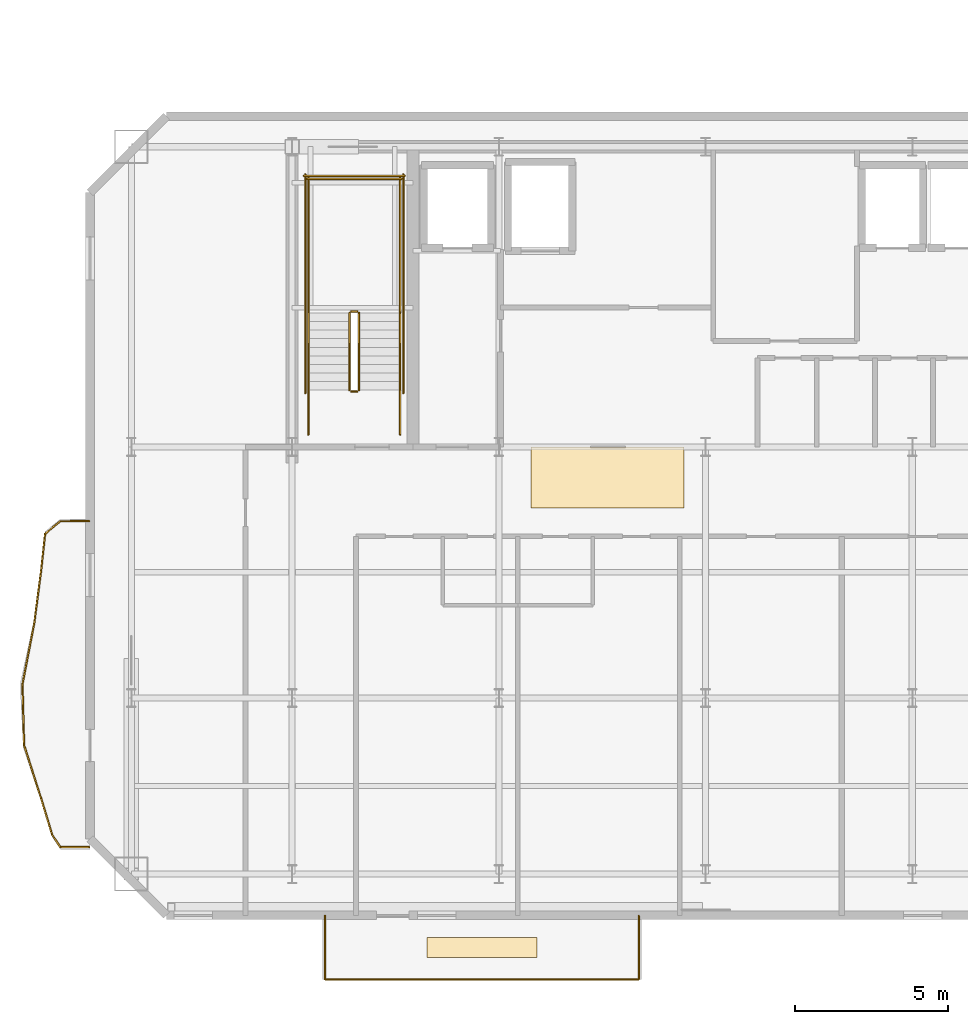
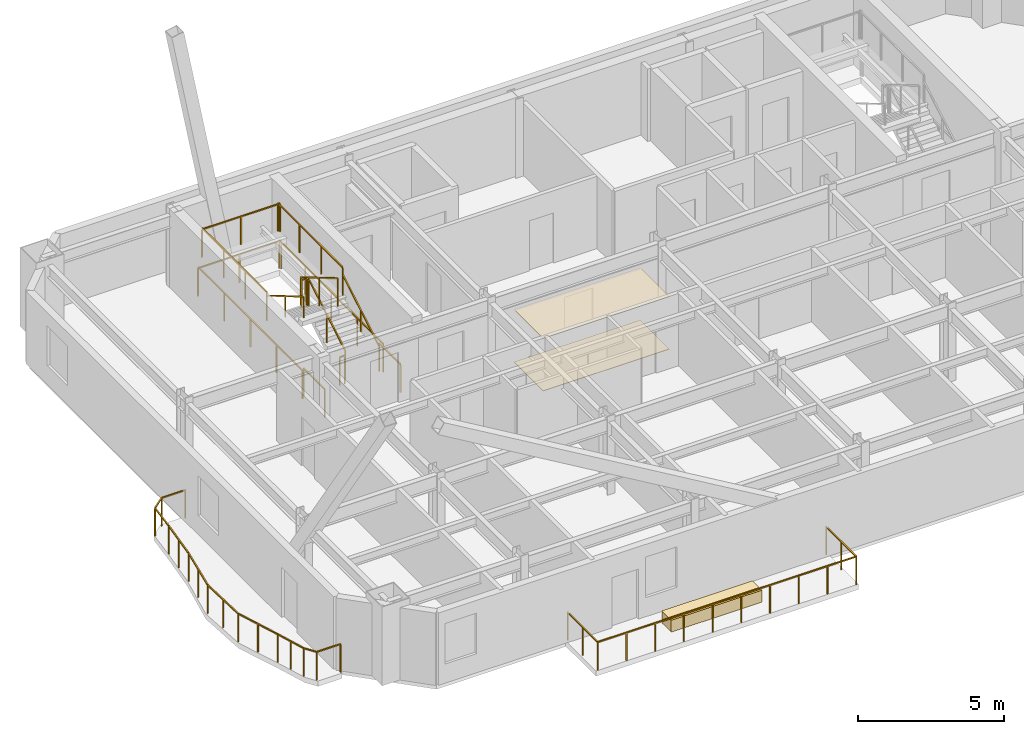
# One storey, part 11 of 14: 27 railings, 3 coverings.
"""IFC4 building model written with IfcOpenShell, lengths in metres."""

from ifc_helpers import new_model, si_unit, direction, frame, origin, origin_2d, place, context, subcontext, project, spatial, polyline, rectangle, outline, extrude, material, layer, layer_set, type_object, element, save


model = new_model("IFC4")

# Units and contexts
model_context = context("Model", 3, precision=1e-05, world=origin(), true_north=direction((0.0, 1.0)))
body_context = subcontext(model_context, "Body", "Model", "MODEL_VIEW")
ifc_project = project(units=[si_unit("LENGTHUNIT", "METRE"), si_unit("AREAUNIT", "SQUARE_METRE"), si_unit("VOLUMEUNIT", "CUBIC_METRE"), si_unit("PLANEANGLEUNIT", "RADIAN"), si_unit("MASSUNIT", "GRAM", prefix="KILO")], contexts=[model_context])

# Site, building, storey
site_placement = place(None, origin())
site = spatial("IfcSite", under=ifc_project, at=site_placement, CompositionType="ELEMENT")
building_placement = place(site_placement, origin())
building = spatial("IfcBuilding", under=site, at=building_placement, Name="Haevon Station Towers", CompositionType="ELEMENT")
storey_placement = place(building_placement, frame((0.0, 0.0, 228.60009765625)))
storey = spatial("IfcBuildingStorey", under=building, at=storey_placement, Name="L63", CompositionType="ELEMENT", Elevation=228.60009765625)

# Coverings
ifc_material_1 = material(Name="Gypsum acoustic ceiling tile", Category="concrete")
ifc_layer_1 = layer(ifc_material_1, 0.014892578125)
ifc_layer_set_1 = layer_set([ifc_layer_1], Name="Gypsum acoustic ceiling tile")
covering_type_1 = type_object("IfcCoveringType", Name="COV-CEIL15", PredefinedType="CEILING", material=ifc_layer_set_1)
covering_1_placement = place(storey_placement, frame((0.0, 0.0, 2.199951171875)))
element("IfcCovering", 1, at=covering_1_placement, inside=storey, type_object=covering_type_1, Name="L63 Acoustic Corridor Ceiling", PredefinedType="CEILING", context=body_context, shape_type="SweptSolid", body=[
    extrude(outline(polyline([(31.800048828125, 36.199951171875), (36.800048828125, 36.199951171875), (36.800048828125, 38.199951171875), (31.800048828125, 38.199951171875), (31.800048828125, 36.199951171875)])), origin(), (0.0, 0.0, 1.0), 0.014892578125),
])
ifc_material_2 = material(Name="Granite stone paving", Category="masonry")
ifc_layer_2 = layer(ifc_material_2, 0.02001953125)
ifc_layer_set_2 = layer_set([ifc_layer_2], Name="Granite stone paving")
covering_type_2 = type_object("IfcCoveringType", Name="COV-FLR20", PredefinedType="FLOORING", material=ifc_layer_set_2)
covering_2_placement = place(storey_placement, origin())
element("IfcCovering", 2, at=covering_2_placement, inside=storey, type_object=covering_type_2, Name="L63 Corridor Stone Flooring", PredefinedType="FLOORING", context=body_context, shape_type="SweptSolid", body=[
    extrude(outline(polyline([(31.800048828125, 36.199951171875), (36.800048828125, 36.199951171875), (36.800048828125, 38.199951171875), (31.800048828125, 38.199951171875), (31.800048828125, 36.199951171875)])), origin(), (0.0, 0.0, 1.0), 0.02001953125),
])

# Railings
ifc_material_3 = material(Name="Steel S355", Category="steel")
railing_type_1 = type_object("IfcRailingType", Name="GRD-EXT1200", PredefinedType="GUARDRAIL", material=ifc_material_3)
railing_1_placement = place(storey_placement, frame((17.37646484375, 35.772216796875, 0.0)))
element("IfcRailing", 3, at=railing_1_placement, inside=storey, type_object=railing_type_1, Name="L63 Perimeter Guardrail 1", PredefinedType="GUARDRAIL", context=body_context, shape_type="SweptSolid", body=[
    extrude(rectangle(XDim=0.048095703125, YDim=0.048095703125, at=origin_2d()), frame((0.0, 0.0, 1.17578125), z_axis=(-0.999997857851, -0.002069853263, 0.0), x_axis=(0.002069853263, -0.999997857851, 0.0)), (0.0, 0.0, 1.0), 0.943603515625),
    extrude(rectangle(XDim=0.0419921875, YDim=0.0419921875, at=origin_2d()), origin(), (0.0, 0.0, 1.0), 1.15185546875),
    extrude(rectangle(XDim=0.0419921875, YDim=0.0419921875, at=origin_2d()), frame((-0.943603515625, -0.001953125, 0.0)), (0.0, 0.0, 1.0), 1.15185546875),
])
railing_2_placement = place(storey_placement, frame((16.432861328125, 35.770263671875, 0.0)))
element("IfcRailing", 4, at=railing_2_placement, inside=storey, type_object=railing_type_1, Name="L63 Perimeter Guardrail 2", PredefinedType="GUARDRAIL", context=body_context, shape_type="SweptSolid", body=[
    extrude(rectangle(XDim=0.048095703125, YDim=0.048095703125, at=origin_2d()), frame((0.0, 0.0, 1.17578125), z_axis=(-0.771155301893, -0.636647076771, 0.0), x_axis=(0.636647076771, -0.771155301893, 0.0)), (0.0, 0.0, 1.0), 0.646240234375),
    extrude(rectangle(XDim=0.0419921875, YDim=0.0419921875, at=origin_2d()), origin(), (0.0, 0.0, 1.0), 1.15185546875),
    extrude(rectangle(XDim=0.0419921875, YDim=0.0419921875, at=origin_2d()), frame((-0.498291015625, -0.411376953125, 0.0)), (0.0, 0.0, 1.0), 1.15185546875),
])
railing_3_placement = place(storey_placement, frame((15.9345703125, 35.35888671875, 0.0)))
element("IfcRailing", 5, at=railing_3_placement, inside=storey, type_object=railing_type_1, Name="L63 Perimeter Guardrail 3", PredefinedType="GUARDRAIL", context=body_context, shape_type="SweptSolid", body=[
    extrude(rectangle(XDim=0.048095703125, YDim=0.048095703125, at=origin_2d()), frame((0.0, 0.0, 1.17578125), z_axis=(-0.10826862392, -0.994121675186, 0.0), x_axis=(0.994121675186, -0.10826862392, 0.0)), (0.0, 0.0, 1.0), 1.177001953125),
    extrude(rectangle(XDim=0.0419921875, YDim=0.0419921875, at=origin_2d()), origin(), (0.0, 0.0, 1.0), 1.15185546875),
    extrude(rectangle(XDim=0.0419921875, YDim=0.0419921875, at=origin_2d()), frame((-0.12744140625, -1.170166015625, 0.0)), (0.0, 0.0, 1.0), 1.15185546875),
])
railing_4_placement = place(storey_placement, frame((15.80712890625, 34.188720703125, 0.0)))
element("IfcRailing", 6, at=railing_4_placement, inside=storey, type_object=railing_type_1, Name="L63 Perimeter Guardrail 4", PredefinedType="GUARDRAIL", context=body_context, shape_type="SweptSolid", body=[
    extrude(rectangle(XDim=0.048095703125, YDim=0.048095703125, at=origin_2d()), frame((0.0, 0.0, 1.17578125), z_axis=(-0.128836300535, -0.991665875013, 0.0), x_axis=(0.991665875013, -0.128836300535, 0.0)), (0.0, 0.0, 1.0), 1.76416015625),
    extrude(rectangle(XDim=0.0419921875, YDim=0.0419921875, at=origin_2d()), origin(), (0.0, 0.0, 1.0), 1.15185546875),
    extrude(rectangle(XDim=0.0419921875, YDim=0.0419921875, at=origin_2d()), frame((-0.11376953125, -0.874755859375, 0.0)), (0.0, 0.0, 1.0), 1.15185546875),
    extrude(rectangle(XDim=0.0419921875, YDim=0.0419921875, at=origin_2d()), frame((-0.227294921875, -1.74951171875, 0.0)), (0.0, 0.0, 1.0), 1.15185546875),
])
railing_5_placement = place(storey_placement, frame((15.579833984375, 32.439208984375, 0.0)))
element("IfcRailing", 7, at=railing_5_placement, inside=storey, type_object=railing_type_1, Name="L63 Perimeter Guardrail 5", PredefinedType="GUARDRAIL", context=body_context, shape_type="SweptSolid", body=[
    extrude(rectangle(XDim=0.048095703125, YDim=0.048095703125, at=origin_2d()), frame((0.0, 0.0, 1.17578125), z_axis=(-0.189669695752, -0.981847954886, 0.0), x_axis=(0.981847954886, -0.189669695752, 0.0)), (0.0, 0.0, 1.0), 2.026123046875),
    extrude(rectangle(XDim=0.0419921875, YDim=0.0419921875, at=origin_2d()), origin(), (0.0, 0.0, 1.0), 1.15185546875),
    extrude(rectangle(XDim=0.0419921875, YDim=0.0419921875, at=origin_2d()), frame((-0.192138671875, -0.99462890625, 0.0)), (0.0, 0.0, 1.0), 1.15185546875),
    extrude(rectangle(XDim=0.0419921875, YDim=0.0419921875, at=origin_2d()), frame((-0.38427734375, -1.9892578125, 0.0)), (0.0, 0.0, 1.0), 1.15185546875),
])
railing_6_placement = place(storey_placement, frame((15.195556640625, 30.449951171875, 0.0)))
element("IfcRailing", 8, at=railing_6_placement, inside=storey, type_object=railing_type_1, Name="L63 Perimeter Guardrail 6", PredefinedType="GUARDRAIL", context=body_context, shape_type="SweptSolid", body=[
    extrude(rectangle(XDim=0.048095703125, YDim=0.048095703125, at=origin_2d()), frame((0.0, 0.0, 1.17578125), z_axis=(0.026326002365, -0.999653410738, 0.0), x_axis=(0.999653410738, 0.026326002365, 0.0)), (0.0, 0.0, 1.0), 1.993896484375),
    extrude(rectangle(XDim=0.0419921875, YDim=0.0419921875, at=origin_2d()), origin(), (0.0, 0.0, 1.0), 1.15185546875),
    extrude(rectangle(XDim=0.0419921875, YDim=0.0419921875, at=origin_2d()), frame((0.0263671875, -0.99658203125, 0.0)), (0.0, 0.0, 1.0), 1.15185546875),
    extrude(rectangle(XDim=0.0419921875, YDim=0.0419921875, at=origin_2d()), frame((0.052490234375, -1.9931640625, 0.0)), (0.0, 0.0, 1.0), 1.15185546875),
])
railing_7_placement = place(storey_placement, frame((15.248046875, 28.456787109375, 0.0)))
element("IfcRailing", 9, at=railing_7_placement, inside=storey, type_object=railing_type_1, Name="L63 Perimeter Guardrail 7", PredefinedType="GUARDRAIL", context=body_context, shape_type="SweptSolid", body=[
    extrude(rectangle(XDim=0.048095703125, YDim=0.048095703125, at=origin_2d()), frame((0.0, 0.0, 1.17578125), z_axis=(0.30505605899, -0.952334395511, 0.0), x_axis=(0.952334395511, 0.30505605899, 0.0)), (0.0, 0.0, 1.0), 1.832763671875),
    extrude(rectangle(XDim=0.0419921875, YDim=0.0419921875, at=origin_2d()), origin(), (0.0, 0.0, 1.0), 1.15185546875),
    extrude(rectangle(XDim=0.0419921875, YDim=0.0419921875, at=origin_2d()), frame((0.279541015625, -0.87255859375, 0.0)), (0.0, 0.0, 1.0), 1.15185546875),
    extrude(rectangle(XDim=0.0419921875, YDim=0.0419921875, at=origin_2d()), frame((0.55908203125, -1.745361328125, 0.0)), (0.0, 0.0, 1.0), 1.15185546875),
])
railing_8_placement = place(storey_placement, frame((15.80712890625, 26.71142578125, 0.0)))
element("IfcRailing", 10, at=railing_8_placement, inside=storey, type_object=railing_type_1, Name="L63 Perimeter Guardrail 8", PredefinedType="GUARDRAIL", context=body_context, shape_type="SweptSolid", body=[
    extrude(rectangle(XDim=0.048095703125, YDim=0.048095703125, at=origin_2d()), frame((0.0, 0.0, 1.17578125), z_axis=(0.289691533525, -0.957120063212, 0.0), x_axis=(0.957120063212, 0.289691533525, 0.0)), (0.0, 0.0, 1.0), 1.222900390625),
    extrude(rectangle(XDim=0.0419921875, YDim=0.0419921875, at=origin_2d()), origin(), (0.0, 0.0, 1.0), 1.15185546875),
    extrude(rectangle(XDim=0.0419921875, YDim=0.0419921875, at=origin_2d()), frame((0.17724609375, -0.585205078125, 0.0)), (0.0, 0.0, 1.0), 1.15185546875),
    extrude(rectangle(XDim=0.0419921875, YDim=0.0419921875, at=origin_2d()), frame((0.354248046875, -1.17041015625, 0.0)), (0.0, 0.0, 1.0), 1.15185546875),
])
railing_9_placement = place(storey_placement, frame((16.161376953125, 25.541015625, 0.0)))
element("IfcRailing", 11, at=railing_9_placement, inside=storey, type_object=railing_type_1, Name="L63 Perimeter Guardrail 9", PredefinedType="GUARDRAIL", context=body_context, shape_type="SweptSolid", body=[
    extrude(rectangle(XDim=0.048095703125, YDim=0.048095703125, at=origin_2d()), frame((0.0, 0.0, 1.17578125), z_axis=(0.551035492448, -0.834481806909, 0.0), x_axis=(0.834481806909, 0.551035492448, 0.0)), (0.0, 0.0, 1.0), 0.49267578125),
    extrude(rectangle(XDim=0.0419921875, YDim=0.0419921875, at=origin_2d()), origin(), (0.0, 0.0, 1.0), 1.15185546875),
    extrude(rectangle(XDim=0.0419921875, YDim=0.0419921875, at=origin_2d()), frame((0.271484375, -0.4111328125, 0.0)), (0.0, 0.0, 1.0), 1.15185546875),
])
railing_10_placement = place(storey_placement, frame((16.432861328125, 25.1298828125, 0.0)))
element("IfcRailing", 12, at=railing_10_placement, inside=storey, type_object=railing_type_1, Name="L63 Perimeter Guardrail 10", PredefinedType="GUARDRAIL", context=body_context, shape_type="SweptSolid", body=[
    extrude(rectangle(XDim=0.048095703125, YDim=0.048095703125, at=origin_2d()), frame((0.0, 0.0, 1.17578125), z_axis=(0.999997857851, -0.002069853263, 0.0), x_axis=(0.002069853263, 0.999997857851, 0.0)), (0.0, 0.0, 1.0), 0.943603515625),
    extrude(rectangle(XDim=0.0419921875, YDim=0.0419921875, at=origin_2d()), origin(), (0.0, 0.0, 1.0), 1.15185546875),
    extrude(rectangle(XDim=0.0419921875, YDim=0.0419921875, at=origin_2d()), frame((0.943603515625, -0.001953125, 0.0)), (0.0, 0.0, 1.0), 1.15185546875),
])
railing_11_placement = place(storey_placement, frame((25.078369140625, 20.81591796875, 0.0)))
element("IfcRailing", 13, at=railing_11_placement, inside=storey, type_object=railing_type_1, Name="L63 Perimeter Guardrail 1", PredefinedType="GUARDRAIL", context=body_context, shape_type="SweptSolid", body=[
    extrude(rectangle(XDim=0.048095703125, YDim=0.048095703125, at=origin_2d()), frame((0.0, 0.0, 1.17578125), z_axis=(1.0, 0.0, 0.0), x_axis=(0.0, 1.0, 0.0)), (0.0, 0.0, 1.0), 10.2431640625),
    extrude(rectangle(XDim=0.0419921875, YDim=0.0419921875, at=origin_2d()), origin(), (0.0, 0.0, 1.0), 1.15185546875),
    extrude(rectangle(XDim=0.0419921875, YDim=0.0419921875, at=origin_2d()), frame((1.13818359375, 0.0, 0.0)), (0.0, 0.0, 1.0), 1.15185546875),
    extrude(rectangle(XDim=0.0419921875, YDim=0.0419921875, at=origin_2d()), frame((2.2763671875, 0.0, 0.0)), (0.0, 0.0, 1.0), 1.15185546875),
    extrude(rectangle(XDim=0.0419921875, YDim=0.0419921875, at=origin_2d()), frame((3.414306640625, 0.0, 0.0)), (0.0, 0.0, 1.0), 1.15185546875),
    extrude(rectangle(XDim=0.0419921875, YDim=0.0419921875, at=origin_2d()), frame((4.552490234375, 0.0, 0.0)), (0.0, 0.0, 1.0), 1.15185546875),
    extrude(rectangle(XDim=0.0419921875, YDim=0.0419921875, at=origin_2d()), frame((5.690673828125, 0.0, 0.0)), (0.0, 0.0, 1.0), 1.15185546875),
    extrude(rectangle(XDim=0.0419921875, YDim=0.0419921875, at=origin_2d()), frame((6.828857421875, 0.0, 0.0)), (0.0, 0.0, 1.0), 1.15185546875),
    extrude(rectangle(XDim=0.0419921875, YDim=0.0419921875, at=origin_2d()), frame((7.966796875, 0.0, 0.0)), (0.0, 0.0, 1.0), 1.15185546875),
    extrude(rectangle(XDim=0.0419921875, YDim=0.0419921875, at=origin_2d()), frame((9.10498046875, 0.0, 0.0)), (0.0, 0.0, 1.0), 1.15185546875),
    extrude(rectangle(XDim=0.0419921875, YDim=0.0419921875, at=origin_2d()), frame((10.2431640625, 0.0, 0.0)), (0.0, 0.0, 1.0), 1.15185546875),
])
railing_12_placement = place(storey_placement, frame((35.321533203125, 20.81591796875, 0.0)))
element("IfcRailing", 14, at=railing_12_placement, inside=storey, type_object=railing_type_1, Name="L63 Perimeter Guardrail 2", PredefinedType="GUARDRAIL", context=body_context, shape_type="SweptSolid", body=[
    extrude(rectangle(XDim=0.048095703125, YDim=0.048095703125, at=origin_2d()), frame((0.0, 0.0, 1.17578125), z_axis=(0.0, 1.0, 0.0), x_axis=(-1.0, 0.0, 0.0)), (0.0, 0.0, 1.0), 2.063232421875),
    extrude(rectangle(XDim=0.0419921875, YDim=0.0419921875, at=origin_2d()), origin(), (0.0, 0.0, 1.0), 1.15185546875),
    extrude(rectangle(XDim=0.0419921875, YDim=0.0419921875, at=origin_2d()), frame((0.0, 1.03173828125, 0.0)), (0.0, 0.0, 1.0), 1.15185546875),
    extrude(rectangle(XDim=0.0419921875, YDim=0.0419921875, at=origin_2d()), frame((0.0, 2.063232421875, 0.0)), (0.0, 0.0, 1.0), 1.15185546875),
])
railing_13_placement = place(storey_placement, frame((25.078369140625, 22.879150390625, 0.0)))
element("IfcRailing", 15, at=railing_13_placement, inside=storey, type_object=railing_type_1, Name="L63 Perimeter Guardrail 3", PredefinedType="GUARDRAIL", context=body_context, shape_type="SweptSolid", body=[
    extrude(rectangle(XDim=0.048095703125, YDim=0.048095703125, at=origin_2d()), frame((0.0, 0.0, 1.17578125), z_axis=(0.0, -1.0, 0.0), x_axis=(1.0, 0.0, 0.0)), (0.0, 0.0, 1.0), 2.063232421875),
    extrude(rectangle(XDim=0.0419921875, YDim=0.0419921875, at=origin_2d()), origin(), (0.0, 0.0, 1.0), 1.15185546875),
    extrude(rectangle(XDim=0.0419921875, YDim=0.0419921875, at=origin_2d()), frame((0.0, -1.03173828125, 0.0)), (0.0, 0.0, 1.0), 1.15185546875),
    extrude(rectangle(XDim=0.0419921875, YDim=0.0419921875, at=origin_2d()), frame((0.0, -2.063232421875, 0.0)), (0.0, 0.0, 1.0), 1.15185546875),
])
railing_type_2 = type_object("IfcRailingType", Name="GRD-STR1200", PredefinedType="GUARDRAIL", material=ifc_material_3)
railing_14_placement = place(storey_placement, frame((26.179931640625, 40.050048828125, 0.164794921875)))
element("IfcRailing", 16, at=railing_14_placement, inside=storey, type_object=railing_type_2, Name="L63 ST1 Stair Guard 1", PredefinedType="GUARDRAIL", context=body_context, shape_type="SweptSolid", body=[
    extrude(rectangle(XDim=0.048095703125, YDim=0.048095703125, at=origin_2d()), frame((0.0, 0.0, 1.17578125), z_axis=(0.0, 0.86152411907, 0.507716645641), x_axis=(-1.0, 0.0, 0.0)), (0.0, 0.0, 1.0), 2.925048828125),
    extrude(rectangle(XDim=0.0419921875, YDim=0.0419921875, at=origin_2d()), origin(), (0.0, 0.0, 1.0), 1.15185546875),
    extrude(rectangle(XDim=0.0419921875, YDim=0.0419921875, at=origin_2d()), frame((0.0, 1.260009765625, 0.74267578125)), (0.0, 0.0, 1.0), 1.15185546875),
    extrude(rectangle(XDim=0.0419921875, YDim=0.0419921875, at=origin_2d()), frame((0.0, 2.52001953125, 1.485107421875)), (0.0, 0.0, 1.0), 1.15185546875),
])
railing_15_placement = place(storey_placement, frame((26.1298828125, 42.6201171875, 1.64990234375)))
element("IfcRailing", 17, at=railing_15_placement, inside=storey, type_object=railing_type_2, Name="L63 ST1 Stair Guard 2", PredefinedType="GUARDRAIL", context=body_context, shape_type="SweptSolid", body=[
    extrude(rectangle(XDim=0.048095703125, YDim=0.048095703125, at=origin_2d()), frame((0.0, 0.0, 1.17578125), z_axis=(-1.0, 0.0, 0.0), x_axis=(0.0, -1.0, 0.0)), (0.0, 0.0, 1.0), 0.199951171875),
    extrude(rectangle(XDim=0.0419921875, YDim=0.0419921875, at=origin_2d()), origin(), (0.0, 0.0, 1.0), 1.15185546875),
    extrude(rectangle(XDim=0.0419921875, YDim=0.0419921875, at=origin_2d()), frame((-0.199951171875, 0.0, 0.0)), (0.0, 0.0, 1.0), 1.15185546875),
])
for number, where, name in (
    (18, (27.530029296875, 42.570068359375, 1.64990234375), "L63 ST1 Stair Guard 3"),
    (19, (24.530029296875, 42.570068359375, 1.64990234375), "L63 ST1 Stair Guard 4"),
):
    element("IfcRailing", number, at=place(storey_placement, frame(where)), inside=storey, type_object=railing_type_2, Name=name, PredefinedType="GUARDRAIL", context=body_context, shape_type="SweptSolid", body=[
        extrude(rectangle(XDim=0.048095703125, YDim=0.048095703125, at=origin_2d()), frame((0.0, 0.0, 1.17578125), z_axis=(0.0, 1.0, 0.0), x_axis=(-1.0, 0.0, 0.0)), (0.0, 0.0, 1.0), 4.429931640625),
        extrude(rectangle(XDim=0.0419921875, YDim=0.0419921875, at=origin_2d()), origin(), (0.0, 0.0, 1.0), 1.15185546875),
        extrude(rectangle(XDim=0.0419921875, YDim=0.0419921875, at=origin_2d()), frame((0.0, 1.4765625, 0.0)), (0.0, 0.0, 1.0), 1.15185546875),
        extrude(rectangle(XDim=0.0419921875, YDim=0.0419921875, at=origin_2d()), frame((0.0, 2.953369140625, 0.0)), (0.0, 0.0, 1.0), 1.15185546875),
        extrude(rectangle(XDim=0.0419921875, YDim=0.0419921875, at=origin_2d()), frame((0.0, 4.429931640625, 0.0)), (0.0, 0.0, 1.0), 1.15185546875),
    ])
railing_16_placement = place(storey_placement, frame((27.580078125, 46.949951171875, 1.64990234375)))
element("IfcRailing", 20, at=railing_16_placement, inside=storey, type_object=railing_type_2, Name="L63 ST1 Stair Guard 5", PredefinedType="GUARDRAIL", context=body_context, shape_type="SweptSolid", body=[
    extrude(rectangle(XDim=0.048095703125, YDim=0.048095703125, at=origin_2d()), frame((0.0, 0.0, 1.17578125), z_axis=(-1.0, 0.0, 0.0), x_axis=(0.0, -1.0, 0.0)), (0.0, 0.0, 1.0), 3.10009765625),
    extrude(rectangle(XDim=0.0419921875, YDim=0.0419921875, at=origin_2d()), origin(), (0.0, 0.0, 1.0), 1.15185546875),
    extrude(rectangle(XDim=0.0419921875, YDim=0.0419921875, at=origin_2d()), frame((-1.550048828125, 0.0, 0.0)), (0.0, 0.0, 1.0), 1.15185546875),
    extrude(rectangle(XDim=0.0419921875, YDim=0.0419921875, at=origin_2d()), frame((-3.10009765625, 0.0, 0.0)), (0.0, 0.0, 1.0), 1.15185546875),
])
railing_17_placement = place(storey_placement, frame((25.8798828125, 42.570068359375, 1.81494140625)))
element("IfcRailing", 21, at=railing_17_placement, inside=storey, type_object=railing_type_2, Name="L63 ST1 Stair Guard 6", PredefinedType="GUARDRAIL", context=body_context, shape_type="SweptSolid", body=[
    extrude(rectangle(XDim=0.048095703125, YDim=0.048095703125, at=origin_2d()), frame((0.0, 0.0, 1.17578125), z_axis=(0.0, -0.861560626758, 0.507654692109), x_axis=(1.0, 0.0, 0.0)), (0.0, 0.0, 1.0), 2.925048828125),
    extrude(rectangle(XDim=0.0419921875, YDim=0.0419921875, at=origin_2d()), origin(), (0.0, 0.0, 1.0), 1.15185546875),
    extrude(rectangle(XDim=0.0419921875, YDim=0.0419921875, at=origin_2d()), frame((0.0, -1.260009765625, 0.742431640625)), (0.0, 0.0, 1.0), 1.15185546875),
    extrude(rectangle(XDim=0.0419921875, YDim=0.0419921875, at=origin_2d()), frame((0.0, -2.52001953125, 1.48486328125)), (0.0, 0.0, 1.0), 1.15185546875),
])
railing_18_placement = place(storey_placement, frame((26.1298828125, 40.0, 0.0)))
element("IfcRailing", 22, at=railing_18_placement, inside=storey, type_object=railing_type_2, Name="L63 ST1 Stair Guard 7", PredefinedType="GUARDRAIL", context=body_context, shape_type="SweptSolid", body=[
    extrude(rectangle(XDim=0.048095703125, YDim=0.048095703125, at=origin_2d()), frame((0.0, 0.0, 1.17578125), z_axis=(-1.0, 0.0, 0.0), x_axis=(0.0, -1.0, 0.0)), (0.0, 0.0, 1.0), 0.199951171875),
    extrude(rectangle(XDim=0.0419921875, YDim=0.0419921875, at=origin_2d()), origin(), (0.0, 0.0, 1.0), 1.15185546875),
    extrude(rectangle(XDim=0.0419921875, YDim=0.0419921875, at=origin_2d()), frame((-0.199951171875, 0.0, 0.0)), (0.0, 0.0, 1.0), 1.15185546875),
])
for number, where, name in (
    (23, (27.530029296875, 38.60009765625, 0.0), "L63 ST1 Stair Guard 8"),
    (24, (24.530029296875, 38.60009765625, 0.0), "L63 ST1 Stair Guard 9"),
):
    element("IfcRailing", number, at=place(storey_placement, frame(where)), inside=storey, type_object=railing_type_2, Name=name, PredefinedType="GUARDRAIL", context=body_context, shape_type="SweptSolid", body=[
        extrude(rectangle(XDim=0.048095703125, YDim=0.048095703125, at=origin_2d()), frame((0.0, 0.0, 1.17578125), z_axis=(0.0, 1.0, 0.0), x_axis=(-1.0, 0.0, 0.0)), (0.0, 0.0, 1.0), 1.449951171875),
        extrude(rectangle(XDim=0.0419921875, YDim=0.0419921875, at=origin_2d()), origin(), (0.0, 0.0, 1.0), 1.15185546875),
        extrude(rectangle(XDim=0.0419921875, YDim=0.0419921875, at=origin_2d()), frame((0.0, 1.449951171875, 0.0)), (0.0, 0.0, 1.0), 1.15185546875),
    ])
for number, where, name in (
    (25, (27.6298828125, 39.949951171875, 0.0), "L63 ST1 Stair Guard 10"),
    (26, (24.429931640625, 39.949951171875, 0.0), "L63 ST1 Stair Guard 11"),
):
    element("IfcRailing", number, at=place(storey_placement, frame(where)), inside=storey, type_object=railing_type_2, Name=name, PredefinedType="GUARDRAIL", context=body_context, shape_type="SweptSolid", body=[
        extrude(rectangle(XDim=0.048095703125, YDim=0.048095703125, at=origin_2d()), frame((0.0, 0.0, 1.17578125), z_axis=(0.0, 1.0, 0.0), x_axis=(-1.0, 0.0, 0.0)), (0.0, 0.0, 1.0), 7.150146484375),
        extrude(rectangle(XDim=0.0419921875, YDim=0.0419921875, at=origin_2d()), origin(), (0.0, 0.0, 1.0), 1.15185546875),
        extrude(rectangle(XDim=0.0419921875, YDim=0.0419921875, at=origin_2d()), frame((0.0, 1.78759765625, 0.0)), (0.0, 0.0, 1.0), 1.15185546875),
        extrude(rectangle(XDim=0.0419921875, YDim=0.0419921875, at=origin_2d()), frame((0.0, 3.5751953125, 0.0)), (0.0, 0.0, 1.0), 1.15185546875),
        extrude(rectangle(XDim=0.0419921875, YDim=0.0419921875, at=origin_2d()), frame((0.0, 5.362548828125, 0.0)), (0.0, 0.0, 1.0), 1.15185546875),
        extrude(rectangle(XDim=0.0419921875, YDim=0.0419921875, at=origin_2d()), frame((0.0, 7.150146484375, 0.0)), (0.0, 0.0, 1.0), 1.15185546875),
    ])
railing_19_placement = place(storey_placement, frame((27.679931640625, 47.050048828125, 0.0)))
element("IfcRailing", 27, at=railing_19_placement, inside=storey, type_object=railing_type_2, Name="L63 ST1 Stair Guard 12", PredefinedType="GUARDRAIL", context=body_context, shape_type="SweptSolid", body=[
    extrude(rectangle(XDim=0.048095703125, YDim=0.048095703125, at=origin_2d()), frame((0.0, 0.0, 1.17578125), z_axis=(-1.0, 0.0, 0.0), x_axis=(0.0, -1.0, 0.0)), (0.0, 0.0, 1.0), 3.300048828125),
    extrude(rectangle(XDim=0.0419921875, YDim=0.0419921875, at=origin_2d()), origin(), (0.0, 0.0, 1.0), 1.15185546875),
    extrude(rectangle(XDim=0.0419921875, YDim=0.0419921875, at=origin_2d()), frame((-1.64990234375, 0.0, 0.0)), (0.0, 0.0, 1.0), 1.15185546875),
    extrude(rectangle(XDim=0.0419921875, YDim=0.0419921875, at=origin_2d()), frame((-3.300048828125, 0.0, 0.0)), (0.0, 0.0, 1.0), 1.15185546875),
])
railing_type_3 = type_object("IfcRailingType", Name="HND-STR900", PredefinedType="HANDRAIL", material=ifc_material_3)
railing_20_placement = place(storey_placement, frame((27.530029296875, 40.050048828125, 0.164794921875)))
element("IfcRailing", 28, at=railing_20_placement, inside=storey, type_object=railing_type_3, Name="L63 ST1 Stair Handrail 1", PredefinedType="HANDRAIL", context=body_context, shape_type="SweptSolid", body=[
    extrude(rectangle(XDim=0.048095703125, YDim=0.048095703125, at=origin_2d()), frame((0.0, 0.0, 0.8759765625), z_axis=(0.0, 0.86152411907, 0.507716645641), x_axis=(-1.0, 0.0, 0.0)), (0.0, 0.0, 1.0), 2.925048828125),
    extrude(rectangle(XDim=0.0419921875, YDim=0.0419921875, at=origin_2d()), origin(), (0.0, 0.0, 1.0), 0.851806640625),
    extrude(rectangle(XDim=0.0419921875, YDim=0.0419921875, at=origin_2d()), frame((0.0, 1.260009765625, 0.74267578125)), (0.0, 0.0, 1.0), 0.851806640625),
    extrude(rectangle(XDim=0.0419921875, YDim=0.0419921875, at=origin_2d()), frame((0.0, 2.52001953125, 1.485107421875)), (0.0, 0.0, 1.0), 0.851806640625),
])
railing_21_placement = place(storey_placement, frame((24.530029296875, 42.570068359375, 1.81494140625)))
element("IfcRailing", 29, at=railing_21_placement, inside=storey, type_object=railing_type_3, Name="L63 ST1 Stair Handrail 2", PredefinedType="HANDRAIL", context=body_context, shape_type="SweptSolid", body=[
    extrude(rectangle(XDim=0.048095703125, YDim=0.048095703125, at=origin_2d()), frame((0.0, 0.0, 0.8759765625), z_axis=(0.0, -0.861560626758, 0.507654692109), x_axis=(1.0, 0.0, 0.0)), (0.0, 0.0, 1.0), 2.925048828125),
    extrude(rectangle(XDim=0.0419921875, YDim=0.0419921875, at=origin_2d()), origin(), (0.0, 0.0, 1.0), 0.851806640625),
    extrude(rectangle(XDim=0.0419921875, YDim=0.0419921875, at=origin_2d()), frame((0.0, -1.260009765625, 0.742431640625)), (0.0, 0.0, 1.0), 0.851806640625),
    extrude(rectangle(XDim=0.0419921875, YDim=0.0419921875, at=origin_2d()), frame((0.0, -2.52001953125, 1.48486328125)), (0.0, 0.0, 1.0), 0.851806640625),
])

# Covering
ifc_material_4 = material(Name="Architectural planter GRC", Category="concrete")
ifc_layer_3 = layer(ifc_material_4, 0.550048828125)
ifc_layer_set_3 = layer_set([ifc_layer_3], Name="Architectural planter GRC")
covering_type_3 = type_object("IfcCoveringType", Name="PLN-GRC550", PredefinedType="MOLDING", material=ifc_layer_set_3)
covering_3_placement = place(storey_placement, frame((30.199951171875, 21.847412109375, 0.0), z_axis=(0.0, 0.0, 1.0), x_axis=(1.0, 0.0, 0.0)))
element("IfcCovering", 30, at=covering_3_placement, inside=storey, type_object=covering_type_3, Name="Tower 1 L63 Facade Trough PLANTER", PredefinedType="MOLDING", context=body_context, shape_type="SweptSolid", body=[
    extrude(rectangle(XDim=3.60009765625, YDim=0.64990234375, at=origin_2d()), origin(), (0.0, 0.0, 1.0), 0.5),
])

save(model, "model.ifc")
